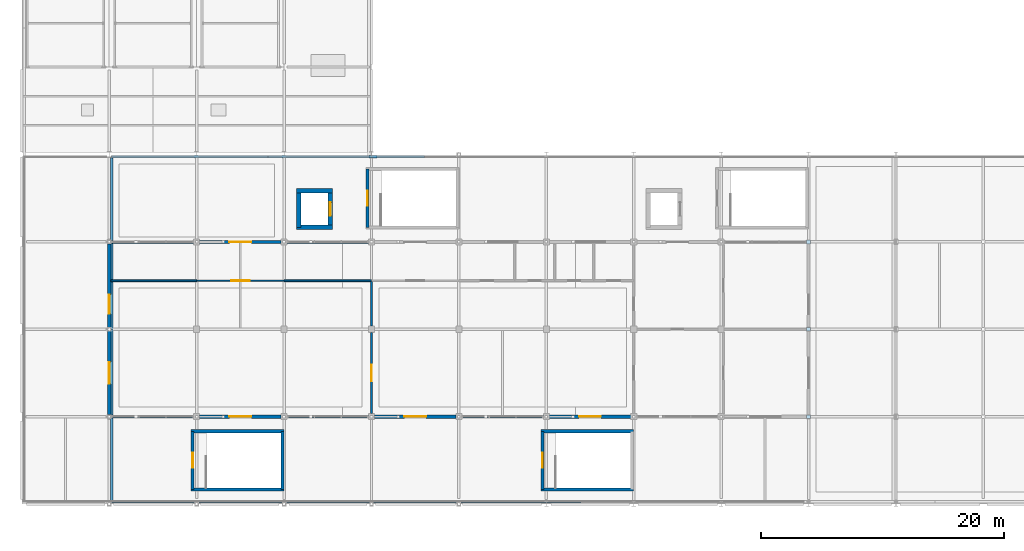
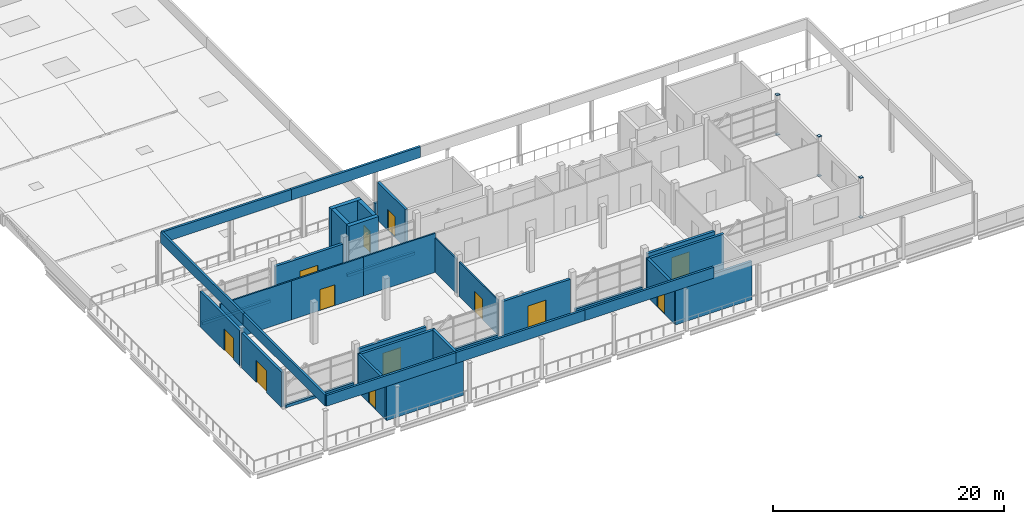
# One storey, part 23 of 32: 36 walls, 12 doors, 6 plates, 12 openings.
"""IFC4 building model written with IfcOpenShell, lengths in metres."""

from ifc_helpers import new_model, si_unit, direction, frame, frame_2d, origin, origin_2d, place, context, subcontext, project, spatial, rectangle, extrude, material, layer, layer_set, type_object, element, fill, save


model = new_model("IFC4")

# Units and contexts
model_context = context("Model", 3, precision=1e-05, world=origin(), true_north=direction((0.0, 1.0)))
body_context = subcontext(model_context, "Body", "Model", "MODEL_VIEW")
ifc_project = project(units=[si_unit("LENGTHUNIT", "METRE"), si_unit("AREAUNIT", "SQUARE_METRE"), si_unit("VOLUMEUNIT", "CUBIC_METRE"), si_unit("PLANEANGLEUNIT", "RADIAN"), si_unit("MASSUNIT", "GRAM", prefix="KILO")], contexts=[model_context])

# Site, building, storey
site_placement = place(None, origin())
site = spatial("IfcSite", under=ifc_project, at=site_placement, CompositionType="ELEMENT")
building_placement = place(site_placement, origin())
building = spatial("IfcBuilding", under=site, at=building_placement, Name="Sardonyx Promenade Sports Hall", CompositionType="ELEMENT")
storey_placement = place(building_placement, frame((0.0, 0.0, 20.39990234375)))
storey = spatial("IfcBuildingStorey", under=building, at=storey_placement, Name="L04", CompositionType="ELEMENT", Elevation=20.39990234375)

# Plates
ifc_material_1 = material(Name="Steel S355JR", Category="steel")
ifc_layer_1 = layer(ifc_material_1, 0.01611328125)
ifc_layer_set_1 = layer_set([ifc_layer_1], Name="Plt_EndCap_EC2")
plate_type = type_object("IfcPlateType", Name="Plt_EndCap_EC2", PredefinedType="USERDEFINED", material=ifc_layer_set_1)
for number, where, z_axis, x_axis, name in (
    (1, (64.800048828125, 7.199951171875, -0.015869140625), (0.0, 0.0, 1.0), (1.0, 0.0, 0.0), "Column end-cap plate EC2 L04 #21"),
    (2, (64.800048828125, 7.199951171875, 4.169921875), (0.0, 0.0, 1.0), (1.0, 0.0, 0.0), "Column end-cap plate EC2 L04 #22"),
    (3, (64.800048828125, 14.39990234375, -0.015869140625), (0.0, 0.0, 1.0), (1.0, 0.0, 0.0), "Column end-cap plate EC2 L04 #25"),
    (4, (64.800048828125, 14.39990234375, 4.169921875), (0.0, 0.0, 1.0), (1.0, 0.0, 0.0), "Column end-cap plate EC2 L04 #26"),
    (5, (64.800048828125, 21.60009765625, -0.015869140625), (0.0, 0.0, 1.0), (1.0, 0.0, 0.0), "Column end-cap plate EC2 L04 #29"),
    (6, (64.800048828125, 21.60009765625, 4.169921875), (0.0, 0.0, 1.0), (1.0, 0.0, 0.0), "Column end-cap plate EC2 L04 #30"),
):
    element("IfcPlate", number, at=place(storey_placement, frame(where, z_axis=z_axis, x_axis=x_axis)), inside=storey, type_object=plate_type, Name=name, ObjectType="END CAP PLATE", PredefinedType="USERDEFINED", context=body_context, shape_type="SweptSolid", body=[
        extrude(rectangle(XDim=0.320068359375, YDim=0.320068359375, at=origin_2d()), origin(), (0.0, 0.0, 1.0), 0.01611328125),
    ])

# Wall, opening, door
ifc_material_2 = material(Name="Concrete C40/50", Category="concrete")
ifc_layer_2 = layer(ifc_material_2, 0.3798828125)
ifc_layer_set_2 = layer_set([ifc_layer_2], Name="Wall_Core_Shear_380")
wall_type_1 = type_object("IfcWallType", Name="Wall_Core_Shear_380", PredefinedType="SHEAR", material=ifc_layer_set_2)
wall_1_placement = place(storey_placement, frame((25.39990234375, 22.800048828125, 0.0), z_axis=(0.0, 0.0, 1.0), x_axis=(0.0, 1.0, 0.0)))
wall_1 = element("IfcWall", 7, at=wall_1_placement, inside=storey, type_object=wall_type_1, Name="Lift shaft wall LF1 L04 E", PredefinedType="SHEAR", context=body_context, shape_type="SweptSolid", body=[
    extrude(rectangle(XDim=3.0, YDim=0.3798828125, at=frame_2d((1.5, 0.0))), origin(), (0.0, 0.0, 1.0), 4.400146484375),
])
opening_1_placement = place(wall_1_placement, frame((0.949951171875, 0.0, 0.0)))
opening_1 = element("IfcOpeningElement", 8, at=opening_1_placement, cuts=wall_1, Name="Opening LD01", PredefinedType="OPENING", context=body_context, shape_type="SweptSolid", body=[
    extrude(rectangle(XDim=1.10009765625, YDim=2.199951171875, at=frame_2d((0.550048828125, 1.10009765625))), frame((0.0, 0.2, 0.0), z_axis=(0.0, -1.0, 0.0), x_axis=(1.0, 0.0, 0.0)), (0.0, 0.0, 1.0), 0.4),
])
ifc_material_3 = material(Name="Fire-rated stainless steel sliding lift door", Category="steel")
door_type_1 = type_object("IfcDoorType", Name="Door_Lift_Pass_110x220", OperationType="NOTDEFINED", PredefinedType="DOOR", material=ifc_material_3)
door_1_placement = place(opening_1_placement, origin())
door_1 = element("IfcDoor", 9, at=door_1_placement, inside=storey, type_object=door_type_1, Name="Lift landing sliding door LD-LF1-L04", OperationType="SLIDING_TO_LEFT", OverallHeight=2.199951171875, OverallWidth=1.10009765625, PredefinedType="DOOR", context=body_context, shape_type="SweptSolid", body=[
    extrude(rectangle(XDim=1.10009765625, YDim=2.199951171875, at=frame_2d((0.550048828125, 1.10009765625))), frame((0.0, 0.02490234375, 0.0), z_axis=(0.0, -1.0, 0.0), x_axis=(1.0, 0.0, 0.0)), (0.0, 0.0, 1.0), 0.050048828125),
])
fill(opening_1, door_1)

# Walls
wall_2_placement = place(storey_placement, frame((22.610107421875, 25.800048828125, 0.0), z_axis=(0.0, 0.0, 1.0), x_axis=(1.0, 0.0, 0.0)))
element("IfcWall", 10, at=wall_2_placement, inside=storey, type_object=wall_type_1, Name="Lift shaft wall LF1 L04 N", PredefinedType="SHEAR", context=body_context, shape_type="SweptSolid", body=[
    extrude(rectangle(XDim=2.97998046875, YDim=0.3798828125, at=frame_2d((1.489990234375, 0.0))), origin(), (0.0, 0.0, 1.0), 4.400146484375),
])
wall_3_placement = place(storey_placement, frame((22.800048828125, 25.800048828125, 0.0), z_axis=(0.0, 0.0, 1.0), x_axis=(0.0, -1.0, 0.0)))
element("IfcWall", 11, at=wall_3_placement, inside=storey, type_object=wall_type_1, Name="Lift shaft wall LF1 L04 W", PredefinedType="SHEAR", context=body_context, shape_type="SweptSolid", body=[
    extrude(rectangle(XDim=3.0, YDim=0.3798828125, at=frame_2d((1.5, 0.0))), origin(), (0.0, 0.0, 1.0), 4.400146484375),
])
wall_4_placement = place(storey_placement, frame((25.590087890625, 22.800048828125, 0.0), z_axis=(0.0, 0.0, 1.0), x_axis=(-1.0, 0.0, 0.0)))
element("IfcWall", 12, at=wall_4_placement, inside=storey, type_object=wall_type_1, Name="Lift shaft wall LF1 L04 S", PredefinedType="SHEAR", context=body_context, shape_type="SweptSolid", body=[
    extrude(rectangle(XDim=2.97998046875, YDim=0.3798828125, at=frame_2d((1.489990234375, 0.0))), origin(), (0.0, 0.0, 1.0), 4.400146484375),
])

# Wall, opening, door
ifc_material_4 = material(Name="Masonry CMU 15 MPa", Category="masonry")
ifc_layer_3 = layer(ifc_material_4, 0.260009765625)
ifc_layer_set_3 = layer_set([ifc_layer_3], Name="Wall_Ext_Pavilion_260")
wall_type_2 = type_object("IfcWallType", Name="Wall_Ext_Pavilion_260", PredefinedType="SOLIDWALL", material=ifc_layer_set_3)
wall_5_placement = place(storey_placement, frame((14.635009765625, 21.60009765625, 0.0), z_axis=(0.0, 0.0, 1.0), x_axis=(1.0, 0.0, 0.0)))
wall_5 = element("IfcWall", 13, at=wall_5_placement, inside=storey, type_object=wall_type_2, Name="Exterior wall EW03 L04 #266", PredefinedType="SOLIDWALL", context=body_context, shape_type="SweptSolid", body=[
    extrude(rectangle(XDim=6.72998046875, YDim=0.260009765625, at=frame_2d((3.364990234375, 0.0))), origin(), (0.0, 0.0, 1.0), 3.655029296875),
])
opening_2_placement = place(wall_5_placement, frame((2.465087890625, 0.0, 0.0)))
opening_2 = element("IfcOpeningElement", 14, at=opening_2_placement, cuts=wall_5, Name="Opening ED01", PredefinedType="OPENING", context=body_context, shape_type="SweptSolid", body=[
    extrude(rectangle(XDim=1.800048828125, YDim=2.300048828125, at=frame_2d((0.89990234375, 1.14990234375))), frame((0.0, 0.14, 0.0), z_axis=(0.0, -1.0, 0.0), x_axis=(1.0, 0.0, 0.0)), (0.0, 0.0, 1.0), 0.28),
])
ifc_material_5 = material(Name="Thermally broken anodised aluminium glazed door", Category="aluminium")
door_type_2 = type_object("IfcDoorType", Name="Door_Ext_Track_180x230", OperationType="NOTDEFINED", PredefinedType="DOOR", material=ifc_material_5)
door_2_placement = place(opening_2_placement, origin())
door_2 = element("IfcDoor", 15, at=door_2_placement, inside=storey, type_object=door_type_2, Name="Exterior exit door TD09", OperationType="DOUBLE_DOOR_SINGLE_SWING", OverallHeight=2.300048828125, OverallWidth=1.800048828125, PredefinedType="DOOR", context=body_context, shape_type="SweptSolid", body=[
    extrude(rectangle(XDim=1.800048828125, YDim=2.300048828125, at=frame_2d((0.89990234375, 1.14990234375))), frame((0.0, 0.02490234375, 0.0), z_axis=(0.0, -1.0, 0.0), x_axis=(1.0, 0.0, 0.0)), (0.0, 0.0, 1.0), 0.050048828125),
])
fill(opening_2, door_2)

wall_6_placement = place(storey_placement, frame((50.1650390625, 7.199951171875, 0.0), z_axis=(0.0, 0.0, 1.0), x_axis=(-1.0, 0.0, 0.0)))
wall_6 = element("IfcWall", 16, at=wall_6_placement, inside=storey, type_object=wall_type_2, Name="Exterior wall EW03 L04 #275", PredefinedType="SOLIDWALL", context=body_context, shape_type="SweptSolid", body=[
    extrude(rectangle(XDim=6.72998046875, YDim=0.260009765625, at=frame_2d((3.364990234375, 0.0))), origin(), (0.0, 0.0, 1.0), 3.655029296875),
])
opening_3_placement = place(wall_6_placement, frame((2.465087890625, 0.0, 0.0)))
opening_3 = element("IfcOpeningElement", 17, at=opening_3_placement, cuts=wall_6, Name="Opening ED01", PredefinedType="OPENING", context=body_context, shape_type="SweptSolid", body=[
    extrude(rectangle(XDim=1.800048828125, YDim=2.300048828125, at=frame_2d((0.89990234375, 1.14990234375))), frame((0.0, 0.14, 0.0), z_axis=(0.0, -1.0, 0.0), x_axis=(1.0, 0.0, 0.0)), (0.0, 0.0, 1.0), 0.28),
])
door_3_placement = place(opening_3_placement, origin())
door_3 = element("IfcDoor", 18, at=door_3_placement, inside=storey, type_object=door_type_2, Name="Exterior exit door TD08", OperationType="DOUBLE_DOOR_SINGLE_SWING", OverallHeight=2.300048828125, OverallWidth=1.800048828125, PredefinedType="DOOR", context=body_context, shape_type="SweptSolid", body=[
    extrude(rectangle(XDim=1.800048828125, YDim=2.300048828125, at=frame_2d((0.89990234375, 1.14990234375))), frame((0.0, 0.02490234375, 0.0), z_axis=(0.0, -1.0, 0.0), x_axis=(1.0, 0.0, 0.0)), (0.0, 0.0, 1.0), 0.050048828125),
])
fill(opening_3, door_3)

wall_7_placement = place(storey_placement, frame((35.764892578125, 7.199951171875, 0.0), z_axis=(0.0, 0.0, 1.0), x_axis=(-1.0, 0.0, 0.0)))
wall_7 = element("IfcWall", 19, at=wall_7_placement, inside=storey, type_object=wall_type_2, Name="Exterior wall EW03 L04 #277", PredefinedType="SOLIDWALL", context=body_context, shape_type="SweptSolid", body=[
    extrude(rectangle(XDim=6.72998046875, YDim=0.260009765625, at=frame_2d((3.364990234375, 0.0))), origin(), (0.0, 0.0, 1.0), 3.655029296875),
])
opening_4_placement = place(wall_7_placement, frame((2.465087890625, 0.0, 0.0)))
opening_4 = element("IfcOpeningElement", 20, at=opening_4_placement, cuts=wall_7, Name="Opening ED01", PredefinedType="OPENING", context=body_context, shape_type="SweptSolid", body=[
    extrude(rectangle(XDim=1.800048828125, YDim=2.300048828125, at=frame_2d((0.89990234375, 1.14990234375))), frame((0.0, 0.14, 0.0), z_axis=(0.0, -1.0, 0.0), x_axis=(1.0, 0.0, 0.0)), (0.0, 0.0, 1.0), 0.28),
])
door_4_placement = place(opening_4_placement, origin())
door_4 = element("IfcDoor", 21, at=door_4_placement, inside=storey, type_object=door_type_2, Name="Exterior exit door TD02", OperationType="DOUBLE_DOOR_SINGLE_SWING", OverallHeight=2.300048828125, OverallWidth=1.800048828125, PredefinedType="DOOR", context=body_context, shape_type="SweptSolid", body=[
    extrude(rectangle(XDim=1.800048828125, YDim=2.300048828125, at=frame_2d((0.89990234375, 1.14990234375))), frame((0.0, 0.02490234375, 0.0), z_axis=(0.0, -1.0, 0.0), x_axis=(1.0, 0.0, 0.0)), (0.0, 0.0, 1.0), 0.050048828125),
])
fill(opening_4, door_4)

wall_8_placement = place(storey_placement, frame((21.364990234375, 7.199951171875, 0.0), z_axis=(0.0, 0.0, 1.0), x_axis=(-1.0, 0.0, 0.0)))
wall_8 = element("IfcWall", 22, at=wall_8_placement, inside=storey, type_object=wall_type_2, Name="Exterior wall EW03 L04 #279", PredefinedType="SOLIDWALL", context=body_context, shape_type="SweptSolid", body=[
    extrude(rectangle(XDim=6.72998046875, YDim=0.260009765625, at=frame_2d((3.364990234375, 0.0))), origin(), (0.0, 0.0, 1.0), 3.655029296875),
])
opening_5_placement = place(wall_8_placement, frame((2.465087890625, 0.0, 0.0)))
opening_5 = element("IfcOpeningElement", 23, at=opening_5_placement, cuts=wall_8, Name="Opening ED01", PredefinedType="OPENING", context=body_context, shape_type="SweptSolid", body=[
    extrude(rectangle(XDim=1.800048828125, YDim=2.300048828125, at=frame_2d((0.89990234375, 1.14990234375))), frame((0.0, 0.14, 0.0), z_axis=(0.0, -1.0, 0.0), x_axis=(1.0, 0.0, 0.0)), (0.0, 0.0, 1.0), 0.28),
])
door_5_placement = place(opening_5_placement, origin())
door_5 = element("IfcDoor", 24, at=door_5_placement, inside=storey, type_object=door_type_2, Name="Exterior exit door TD07", OperationType="DOUBLE_DOOR_SINGLE_SWING", OverallHeight=2.300048828125, OverallWidth=1.800048828125, PredefinedType="DOOR", context=body_context, shape_type="SweptSolid", body=[
    extrude(rectangle(XDim=1.800048828125, YDim=2.300048828125, at=frame_2d((0.89990234375, 1.14990234375))), frame((0.0, 0.02490234375, 0.0), z_axis=(0.0, -1.0, 0.0), x_axis=(1.0, 0.0, 0.0)), (0.0, 0.0, 1.0), 0.050048828125),
])
fill(opening_5, door_5)

wall_9_placement = place(storey_placement, frame((7.199951171875, 7.3603515625, 0.0), z_axis=(0.0, 0.0, 1.0), x_axis=(0.0, 1.0, 0.0)))
wall_9 = element("IfcWall", 25, at=wall_9_placement, inside=storey, type_object=wall_type_2, Name="Exterior wall EW03 L04 #283", PredefinedType="SOLIDWALL", context=body_context, shape_type="SweptSolid", body=[
    extrude(rectangle(XDim=6.879150390625, YDim=0.260009765625, at=frame_2d((3.439453125, 0.0))), origin(), (0.0, 0.0, 1.0), 3.705078125),
])
opening_6_placement = place(wall_9_placement, frame((2.53955078125, 0.0, 0.0)))
opening_6 = element("IfcOpeningElement", 26, at=opening_6_placement, cuts=wall_9, Name="Opening ED01", PredefinedType="OPENING", context=body_context, shape_type="SweptSolid", body=[
    extrude(rectangle(XDim=1.800048828125, YDim=2.300048828125, at=frame_2d((0.89990234375, 1.14990234375))), frame((0.0, 0.14, 0.0), z_axis=(0.0, -1.0, 0.0), x_axis=(1.0, 0.0, 0.0)), (0.0, 0.0, 1.0), 0.28),
])
door_6_placement = place(opening_6_placement, origin())
door_6 = element("IfcDoor", 27, at=door_6_placement, inside=storey, type_object=door_type_2, Name="Exterior exit door TD04", OperationType="DOUBLE_DOOR_SINGLE_SWING", OverallHeight=2.300048828125, OverallWidth=1.800048828125, PredefinedType="DOOR", context=body_context, shape_type="SweptSolid", body=[
    extrude(rectangle(XDim=1.800048828125, YDim=2.300048828125, at=frame_2d((0.89990234375, 1.14990234375))), frame((0.0, 0.02490234375, 0.0), z_axis=(0.0, -1.0, 0.0), x_axis=(1.0, 0.0, 0.0)), (0.0, 0.0, 1.0), 0.050048828125),
])
fill(opening_6, door_6)

wall_10_placement = place(storey_placement, frame((7.199951171875, 14.560546875, 0.0), z_axis=(0.0, 0.0, 1.0), x_axis=(0.0, 1.0, 0.0)))
wall_10 = element("IfcWall", 28, at=wall_10_placement, inside=storey, type_object=wall_type_2, Name="Exterior wall EW03 L04 #284", PredefinedType="SOLIDWALL", context=body_context, shape_type="SweptSolid", body=[
    extrude(rectangle(XDim=6.87890625, YDim=0.260009765625, at=frame_2d((3.439453125, 0.0))), origin(), (0.0, 0.0, 1.0), 3.705078125),
])
opening_7_placement = place(wall_10_placement, frame((1.10009765625, 0.0, 0.0)))
opening_7 = element("IfcOpeningElement", 29, at=opening_7_placement, cuts=wall_10, Name="Opening ED08", PredefinedType="OPENING", context=body_context, shape_type="SweptSolid", body=[
    extrude(rectangle(XDim=1.60009765625, YDim=2.300048828125, at=frame_2d((0.800048828125, 1.14990234375))), frame((0.0, 0.14, 0.0), z_axis=(0.0, -1.0, 0.0), x_axis=(1.0, 0.0, 0.0)), (0.0, 0.0, 1.0), 0.28),
])
ifc_material_6 = material(Name="Thermally broken anodised aluminium glazed door", Category="aluminium")
door_type_3 = type_object("IfcDoorType", Name="Door_Ext_Terrace_160x230", OperationType="NOTDEFINED", PredefinedType="DOOR", material=ifc_material_6)
door_7_placement = place(opening_7_placement, origin())
door_7 = element("IfcDoor", 30, at=door_7_placement, inside=storey, type_object=door_type_3, Name="Exterior exit door TD05", OperationType="DOUBLE_DOOR_SINGLE_SWING", OverallHeight=2.300048828125, OverallWidth=1.60009765625, PredefinedType="DOOR", context=body_context, shape_type="SweptSolid", body=[
    extrude(rectangle(XDim=1.60009765625, YDim=2.300048828125, at=frame_2d((0.800048828125, 1.14990234375))), frame((0.0, 0.02490234375, 0.0), z_axis=(0.0, -1.0, 0.0), x_axis=(1.0, 0.0, 0.0)), (0.0, 0.0, 1.0), 0.050048828125),
])
fill(opening_7, door_7)

# Walls
ifc_material_7 = material(Name="Masonry CMU 15 MPa", Category="masonry")
ifc_layer_4 = layer(ifc_material_7, 0.239990234375)
ifc_layer_set_4 = layer_set([ifc_layer_4], Name="Wall_Ext_Spandrel_240")
wall_type_3 = type_object("IfcWallType", Name="Wall_Ext_Spandrel_240", PredefinedType="SOLIDWALL", material=ifc_layer_set_4)
wall_11_placement = place(storey_placement, frame((7.3603515625, 21.60009765625, 0.0), z_axis=(0.0, 0.0, 1.0), x_axis=(1.0, 0.0, 0.0)))
element("IfcWall", 31, at=wall_11_placement, inside=storey, type_object=wall_type_3, Name="Curtain-wall sill spandrel L04 #265", PredefinedType="SOLIDWALL", context=body_context, shape_type="SweptSolid", body=[
    extrude(rectangle(XDim=6.8046875, YDim=0.239990234375, at=frame_2d((3.40234375, 0.0))), origin(), (0.0, 0.0, 1.0), 0.300048828125),
])
for number, where, z_axis, x_axis, name in (
    (32, (21.8349609375, 21.60009765625, 0.0), (0.0, 0.0, 1.0), (1.0, 0.0, 0.0), "Curtain-wall sill spandrel L04 #267"),
    (33, (42.965087890625, 7.199951171875, 0.0), (0.0, 0.0, 1.0), (-1.0, 0.0, 0.0), "Curtain-wall sill spandrel L04 #276"),
    (34, (28.56494140625, 7.199951171875, 0.0), (0.0, 0.0, 1.0), (-1.0, 0.0, 0.0), "Curtain-wall sill spandrel L04 #278"),
):
    element("IfcWall", number, at=place(storey_placement, frame(where, z_axis=z_axis, x_axis=x_axis)), inside=storey, type_object=wall_type_3, Name=name, PredefinedType="SOLIDWALL", context=body_context, shape_type="SweptSolid", body=[
        extrude(rectangle(XDim=6.72998046875, YDim=0.239990234375, at=frame_2d((3.364990234375, 0.0))), origin(), (0.0, 0.0, 1.0), 0.300048828125),
    ])
wall_12_placement = place(storey_placement, frame((14.1650390625, 7.199951171875, 0.0), z_axis=(0.0, 0.0, 1.0), x_axis=(-1.0, 0.0, 0.0)))
element("IfcWall", 35, at=wall_12_placement, inside=storey, type_object=wall_type_3, Name="Curtain-wall sill spandrel L04 #280", PredefinedType="SOLIDWALL", context=body_context, shape_type="SweptSolid", body=[
    extrude(rectangle(XDim=6.8046875, YDim=0.239990234375, at=frame_2d((3.40234375, 0.0))), origin(), (0.0, 0.0, 1.0), 0.300048828125),
])
ifc_material_8 = material(Name="Concrete C40/50", Category="concrete")
ifc_layer_5 = layer(ifc_material_8, 0.219970703125)
ifc_layer_set_5 = layer_set([ifc_layer_5], Name="Wall_Parapet_Roof_220")
wall_type_4 = type_object("IfcWallType", Name="Wall_Parapet_Roof_220", PredefinedType="PARAPET", material=ifc_layer_set_5)
wall_13_placement = place(storey_placement, frame((28.60009765625, 28.60009765625, 0.0), z_axis=(0.0, 0.0, 1.0), x_axis=(1.0, 0.0, 0.0)))
element("IfcWall", 36, at=wall_13_placement, inside=storey, type_object=wall_type_4, Name="Roof parapet PP02 L04 #58", PredefinedType="PARAPET", context=body_context, shape_type="SweptSolid", body=[
    extrude(rectangle(XDim=0.64990234375, YDim=0.219970703125, at=frame_2d((0.324951171875, 0.0))), origin(), (0.0, 0.0, 1.0), 1.150146484375),
])
wall_14_placement = place(storey_placement, frame((7.39990234375, 0.199951171875, 4.400146484375), z_axis=(0.0, 0.0, 1.0), x_axis=(1.0, 0.0, 0.0)))
element("IfcWall", 37, at=wall_14_placement, inside=storey, type_object=wall_type_4, Name="Roof parapet PP02 L04 #59", PredefinedType="PARAPET", context=body_context, shape_type="SweptSolid", body=[
    extrude(rectangle(XDim=12.880126953125, YDim=0.219970703125, at=frame_2d((6.43994140625, 0.0))), origin(), (0.0, 0.0, 1.0), 1.14990234375),
])
wall_15_placement = place(storey_placement, frame((20.280029296875, 0.199951171875, 4.400146484375), z_axis=(0.0, 0.0, 1.0), x_axis=(1.0, 0.0, 0.0)))
element("IfcWall", 38, at=wall_15_placement, inside=storey, type_object=wall_type_4, Name="Roof parapet PP02 L04 #60", PredefinedType="PARAPET", context=body_context, shape_type="SweptSolid", body=[
    extrude(rectangle(XDim=12.8798828125, YDim=0.219970703125, at=frame_2d((6.43994140625, 0.0))), origin(), (0.0, 0.0, 1.0), 1.14990234375),
])
wall_16_placement = place(storey_placement, frame((33.159912109375, 0.199951171875, 4.400146484375), z_axis=(0.0, 0.0, 1.0), x_axis=(1.0, 0.0, 0.0)))
element("IfcWall", 39, at=wall_16_placement, inside=storey, type_object=wall_type_4, Name="Roof parapet PP02 L04 #61", PredefinedType="PARAPET", context=body_context, shape_type="SweptSolid", body=[
    extrude(rectangle(XDim=12.880126953125, YDim=0.219970703125, at=frame_2d((6.43994140625, 0.0))), origin(), (0.0, 0.0, 1.0), 1.14990234375),
])
wall_17_placement = place(storey_placement, frame((33.159912109375, 28.60009765625, 4.400146484375), z_axis=(0.0, 0.0, 1.0), x_axis=(-1.0, 0.0, 0.0)))
element("IfcWall", 40, at=wall_17_placement, inside=storey, type_object=wall_type_4, Name="Roof parapet PP02 L04 #69", PredefinedType="PARAPET", context=body_context, shape_type="SweptSolid", body=[
    extrude(rectangle(XDim=12.8798828125, YDim=0.219970703125, at=frame_2d((6.43994140625, 0.0))), origin(), (0.0, 0.0, 1.0), 1.14990234375),
])
wall_18_placement = place(storey_placement, frame((20.280029296875, 28.60009765625, 4.400146484375), z_axis=(0.0, 0.0, 1.0), x_axis=(-1.0, 0.0, 0.0)))
element("IfcWall", 41, at=wall_18_placement, inside=storey, type_object=wall_type_4, Name="Roof parapet PP02 L04 #70", PredefinedType="PARAPET", context=body_context, shape_type="SweptSolid", body=[
    extrude(rectangle(XDim=12.880126953125, YDim=0.219970703125, at=frame_2d((6.43994140625, 0.0))), origin(), (0.0, 0.0, 1.0), 1.14990234375),
])
wall_19_placement = place(storey_placement, frame((7.39990234375, 28.60009765625, 4.400146484375), z_axis=(0.0, 0.0, 1.0), x_axis=(0.0, -1.0, 0.0)))
element("IfcWall", 42, at=wall_19_placement, inside=storey, type_object=wall_type_4, Name="Roof parapet PP02 L04 #71", PredefinedType="PARAPET", context=body_context, shape_type="SweptSolid", body=[
    extrude(rectangle(XDim=14.2001953125, YDim=0.219970703125, at=frame_2d((7.10009765625, 0.0))), origin(), (0.0, 0.0, 1.0), 1.14990234375),
])
wall_20_placement = place(storey_placement, frame((7.39990234375, 14.39990234375, 4.400146484375), z_axis=(0.0, 0.0, 1.0), x_axis=(0.0, -1.0, 0.0)))
element("IfcWall", 43, at=wall_20_placement, inside=storey, type_object=wall_type_4, Name="Roof parapet PP02 L04 #72", PredefinedType="PARAPET", context=body_context, shape_type="SweptSolid", body=[
    extrude(rectangle(XDim=14.199951171875, YDim=0.219970703125, at=frame_2d((7.10009765625, 0.0))), origin(), (0.0, 0.0, 1.0), 1.14990234375),
])
ifc_material_9 = material(Name="Fire-rated stud gypsum partition", Category="gypsum")
ifc_layer_6 = layer(ifc_material_9, 0.14990234375)
ifc_layer_set_6 = layer_set([ifc_layer_6], Name="Wall_Part_Corridor_150")
wall_type_5 = type_object("IfcWallType", Name="Wall_Part_Corridor_150", PredefinedType="PARTITIONING", material=ifc_layer_set_6)
wall_21_placement = place(storey_placement, frame((7.340087890625, 18.39990234375, 0.0), z_axis=(0.0, 0.0, 1.0), x_axis=(1.0, 0.0, 0.0)))
element("IfcWall", 44, at=wall_21_placement, inside=storey, type_object=wall_type_5, Name="Interior partition PW04 L04 #506", PredefinedType="PARTITIONING", context=body_context, shape_type="SweptSolid", body=[
    extrude(rectangle(XDim=7.059814453125, YDim=0.14990234375, at=frame_2d((3.52978515625, 0.0))), origin(), (0.0, 0.0, 1.0), 4.1201171875),
])

# Wall, opening, door
wall_22_placement = place(storey_placement, frame((14.409912109375, 18.39990234375, 0.0), z_axis=(0.0, 0.0, 1.0), x_axis=(1.0, 0.0, 0.0)))
wall_22 = element("IfcWall", 45, at=wall_22_placement, inside=storey, type_object=wall_type_5, Name="Interior partition PW04 L04 #507", PredefinedType="PARTITIONING", context=body_context, shape_type="SweptSolid", body=[
    extrude(rectangle(XDim=7.190185546875, YDim=0.14990234375, at=frame_2d((3.59521484375, 0.0))), origin(), (0.0, 0.0, 1.0), 4.1201171875),
])
opening_8_placement = place(wall_22_placement, frame((2.844970703125, 0.0, 0.0)))
opening_8 = element("IfcOpeningElement", 46, at=opening_8_placement, cuts=wall_22, Name="Opening ID10", PredefinedType="OPENING", context=body_context, shape_type="SweptSolid", body=[
    extrude(rectangle(XDim=1.5, YDim=2.199951171875, at=frame_2d((0.75, 1.10009765625))), frame((0.0, 0.085, 0.0), z_axis=(0.0, -1.0, 0.0), x_axis=(1.0, 0.0, 0.0)), (0.0, 0.0, 1.0), 0.17),
])
ifc_material_10 = material(Name="Double studio entrance fire door FD30S", Category="wood")
door_type_4 = type_object("IfcDoorType", Name="Door_Corr_FD30_150x220", OperationType="NOTDEFINED", PredefinedType="DOOR", material=ifc_material_10)
door_8_placement = place(opening_8_placement, origin())
door_8 = element("IfcDoor", 47, at=door_8_placement, inside=storey, type_object=door_type_4, Name="Interior door D04-154", OperationType="DOUBLE_DOOR_SINGLE_SWING", OverallHeight=2.199951171875, OverallWidth=1.5, PredefinedType="DOOR", context=body_context, shape_type="SweptSolid", body=[
    extrude(rectangle(XDim=1.5, YDim=2.199951171875, at=frame_2d((0.75, 1.10009765625))), frame((0.0, 0.02490234375, 0.0), z_axis=(0.0, -1.0, 0.0), x_axis=(1.0, 0.0, 0.0)), (0.0, 0.0, 1.0), 0.050048828125),
])
fill(opening_8, door_8)

# Wall
wall_23_placement = place(storey_placement, frame((21.610107421875, 18.39990234375, 0.0), z_axis=(0.0, 0.0, 1.0), x_axis=(1.0, 0.0, 0.0)))
element("IfcWall", 48, at=wall_23_placement, inside=storey, type_object=wall_type_5, Name="Interior partition PW04 L04 #508", PredefinedType="PARTITIONING", context=body_context, shape_type="SweptSolid", body=[
    extrude(rectangle(XDim=7.18994140625, YDim=0.14990234375, at=frame_2d((3.594970703125, 0.0))), origin(), (0.0, 0.0, 1.0), 4.1201171875),
])

# Wall, opening, door
ifc_material_11 = material(Name="Acoustic sports stud partition", Category="gypsum")
ifc_layer_7 = layer(ifc_material_11, 0.1298828125)
ifc_layer_set_7 = layer_set([ifc_layer_7], Name="Wall_Part_Studio_130")
wall_type_6 = type_object("IfcWallType", Name="Wall_Part_Studio_130", PredefinedType="PARTITIONING", material=ifc_layer_set_7)
wall_24_placement = place(storey_placement, frame((28.800048828125, 7.449951171875, 0.0), z_axis=(0.0, 0.0, 1.0), x_axis=(0.0, 1.0, 0.0)))
wall_24 = element("IfcWall", 49, at=wall_24_placement, inside=storey, type_object=wall_type_6, Name="Interior partition PW05 L04 #518", PredefinedType="PARTITIONING", context=body_context, shape_type="SweptSolid", body=[
    extrude(rectangle(XDim=6.699951171875, YDim=0.1298828125, at=frame_2d((3.35009765625, 0.0))), origin(), (0.0, 0.0, 1.0), 3.650146484375),
])
opening_9_placement = place(wall_24_placement, frame((2.675048828125, 0.0, 0.0)))
opening_9 = element("IfcOpeningElement", 50, at=opening_9_placement, cuts=wall_24, Name="Opening ID12", PredefinedType="OPENING", context=body_context, shape_type="SweptSolid", body=[
    extrude(rectangle(XDim=1.35009765625, YDim=2.14990234375, at=frame_2d((0.675048828125, 1.074951171875))), frame((0.0, 0.075, 0.0), z_axis=(0.0, -1.0, 0.0), x_axis=(1.0, 0.0, 0.0)), (0.0, 0.0, 1.0), 0.15),
])
ifc_material_12 = material(Name="Leaf-and-a-half equipment door", Category="wood")
door_type_5 = type_object("IfcDoorType", Name="Door_Suite_135x215", OperationType="NOTDEFINED", PredefinedType="DOOR", material=ifc_material_12)
door_9_placement = place(opening_9_placement, origin())
door_9 = element("IfcDoor", 51, at=door_9_placement, inside=storey, type_object=door_type_5, Name="Interior door D04-160", OperationType="SINGLE_SWING_RIGHT", OverallHeight=2.14990234375, OverallWidth=1.35009765625, PredefinedType="DOOR", context=body_context, shape_type="SweptSolid", body=[
    extrude(rectangle(XDim=1.35009765625, YDim=2.14990234375, at=frame_2d((0.675048828125, 1.074951171875))), frame((0.0, 0.02490234375, 0.0), z_axis=(0.0, -1.0, 0.0), x_axis=(1.0, 0.0, 0.0)), (0.0, 0.0, 1.0), 0.050048828125),
])
fill(opening_9, door_9)

# Wall
wall_25_placement = place(storey_placement, frame((28.800048828125, 14.64990234375, 0.0), z_axis=(0.0, 0.0, 1.0), x_axis=(0.0, 1.0, 0.0)))
element("IfcWall", 52, at=wall_25_placement, inside=storey, type_object=wall_type_6, Name="Interior partition PW05 L04 #519", PredefinedType="PARTITIONING", context=body_context, shape_type="SweptSolid", body=[
    extrude(rectangle(XDim=3.6650390625, YDim=0.1298828125, at=frame_2d((1.83251953125, 0.0))), origin(), (0.0, 0.0, 1.0), 3.650146484375),
])

# Wall, opening, door
ifc_material_13 = material(Name="Concrete C40/50", Category="concrete")
ifc_layer_8 = layer(ifc_material_13, 0.25)
ifc_layer_set_8 = layer_set([ifc_layer_8], Name="Wall_Stair_Shear_250")
wall_type_7 = type_object("IfcWallType", Name="Wall_Stair_Shear_250", PredefinedType="SHEAR", material=ifc_layer_set_8)
wall_26_placement = place(storey_placement, frame((28.47509765625, 22.800048828125, 0.0), z_axis=(0.0, 0.0, 1.0), x_axis=(0.0, 1.0, 0.0)))
wall_26 = element("IfcWall", 53, at=wall_26_placement, inside=storey, type_object=wall_type_7, Name="Stair shaft wall ST1 L04 entry", PredefinedType="SHEAR", context=body_context, shape_type="SweptSolid", body=[
    extrude(rectangle(XDim=4.800048828125, YDim=0.25, at=frame_2d((2.39990234375, 0.0))), origin(), (0.0, 0.0, 1.0), 4.0400390625),
])
opening_10_placement = place(wall_26_placement, frame((1.77490234375, 0.0, 0.0)))
opening_10 = element("IfcOpeningElement", 54, at=opening_10_placement, cuts=wall_26, Name="Opening ID13", PredefinedType="OPENING", context=body_context, shape_type="SweptSolid", body=[
    extrude(rectangle(XDim=1.25, YDim=2.199951171875, at=frame_2d((0.625, 1.10009765625))), frame((0.0, 0.135, 0.0), z_axis=(0.0, -1.0, 0.0), x_axis=(1.0, 0.0, 0.0)), (0.0, 0.0, 1.0), 0.27),
])
ifc_material_14 = material(Name="Solid-core hardwood fire door FD60S", Category="wood")
door_type_6 = type_object("IfcDoorType", Name="Door_Stair_FD60_125x220", OperationType="NOTDEFINED", PredefinedType="DOOR", material=ifc_material_14)
door_10_placement = place(opening_10_placement, origin())
door_10 = element("IfcDoor", 55, at=door_10_placement, inside=storey, type_object=door_type_6, Name="Protected stair door SD06 (ST1 L04)", OperationType="SINGLE_SWING_RIGHT", OverallHeight=2.199951171875, OverallWidth=1.25, PredefinedType="DOOR", context=body_context, shape_type="SweptSolid", body=[
    extrude(rectangle(XDim=1.25, YDim=2.199951171875, at=frame_2d((0.625, 1.10009765625))), frame((0.0, 0.02490234375, 0.0), z_axis=(0.0, -1.0, 0.0), x_axis=(1.0, 0.0, 0.0)), (0.0, 0.0, 1.0), 0.050048828125),
])
fill(opening_10, door_10)

wall_27_placement = place(storey_placement, frame((14.074951171875, 1.199951171875, 0.0), z_axis=(0.0, 0.0, 1.0), x_axis=(0.0, 1.0, 0.0)))
wall_27 = element("IfcWall", 56, at=wall_27_placement, inside=storey, type_object=wall_type_7, Name="Stair shaft wall ST5 L04 entry", PredefinedType="SHEAR", context=body_context, shape_type="SweptSolid", body=[
    extrude(rectangle(XDim=4.800048828125, YDim=0.25, at=frame_2d((2.39990234375, 0.0))), origin(), (0.0, 0.0, 1.0), 4.0400390625),
])
opening_11_placement = place(wall_27_placement, frame((1.77490234375, 0.0, 0.0)))
opening_11 = element("IfcOpeningElement", 57, at=opening_11_placement, cuts=wall_27, Name="Opening ID13", PredefinedType="OPENING", context=body_context, shape_type="SweptSolid", body=[
    extrude(rectangle(XDim=1.25, YDim=2.199951171875, at=frame_2d((0.625, 1.10009765625))), frame((0.0, 0.135, 0.0), z_axis=(0.0, -1.0, 0.0), x_axis=(1.0, 0.0, 0.0)), (0.0, 0.0, 1.0), 0.27),
])
door_11_placement = place(opening_11_placement, origin())
door_11 = element("IfcDoor", 58, at=door_11_placement, inside=storey, type_object=door_type_6, Name="Protected stair door SD26 (ST5 L04)", OperationType="SINGLE_SWING_RIGHT", OverallHeight=2.199951171875, OverallWidth=1.25, PredefinedType="DOOR", context=body_context, shape_type="SweptSolid", body=[
    extrude(rectangle(XDim=1.25, YDim=2.199951171875, at=frame_2d((0.625, 1.10009765625))), frame((0.0, 0.02490234375, 0.0), z_axis=(0.0, -1.0, 0.0), x_axis=(1.0, 0.0, 0.0)), (0.0, 0.0, 1.0), 0.050048828125),
])
fill(opening_11, door_11)

# Walls
wall_28_placement = place(storey_placement, frame((13.949951171875, 6.0, 0.0), z_axis=(0.0, 0.0, 1.0), x_axis=(1.0, 0.0, 0.0)))
element("IfcWall", 59, at=wall_28_placement, inside=storey, type_object=wall_type_7, Name="Stair shaft wall ST5 L04 N", PredefinedType="SHEAR", context=body_context, shape_type="SweptSolid", body=[
    extrude(rectangle(XDim=7.650146484375, YDim=0.25, at=frame_2d((3.8251953125, 0.0))), origin(), (0.0, 0.0, 1.0), 4.0400390625),
])
wall_29_placement = place(storey_placement, frame((21.47509765625, 6.0, 0.0), z_axis=(0.0, 0.0, 1.0), x_axis=(0.0, -1.0, 0.0)))
element("IfcWall", 60, at=wall_29_placement, inside=storey, type_object=wall_type_7, Name="Stair shaft wall ST5 L04 E", PredefinedType="SHEAR", context=body_context, shape_type="SweptSolid", body=[
    extrude(rectangle(XDim=4.800048828125, YDim=0.25, at=frame_2d((2.39990234375, 0.0))), origin(), (0.0, 0.0, 1.0), 4.0400390625),
])
wall_30_placement = place(storey_placement, frame((21.60009765625, 1.199951171875, 0.0), z_axis=(0.0, 0.0, 1.0), x_axis=(-1.0, 0.0, 0.0)))
element("IfcWall", 61, at=wall_30_placement, inside=storey, type_object=wall_type_7, Name="Stair shaft wall ST5 L04 S", PredefinedType="SHEAR", context=body_context, shape_type="SweptSolid", body=[
    extrude(rectangle(XDim=7.650146484375, YDim=0.25, at=frame_2d((3.8251953125, 0.0))), origin(), (0.0, 0.0, 1.0), 4.0400390625),
])

# Wall, opening, door
wall_31_placement = place(storey_placement, frame((42.875, 1.199951171875, 0.0), z_axis=(0.0, 0.0, 1.0), x_axis=(0.0, 1.0, 0.0)))
wall_31 = element("IfcWall", 62, at=wall_31_placement, inside=storey, type_object=wall_type_7, Name="Stair shaft wall ST6 L04 entry", PredefinedType="SHEAR", context=body_context, shape_type="SweptSolid", body=[
    extrude(rectangle(XDim=4.800048828125, YDim=0.25, at=frame_2d((2.39990234375, 0.0))), origin(), (0.0, 0.0, 1.0), 4.0400390625),
])
opening_12_placement = place(wall_31_placement, frame((1.77490234375, 0.0, 0.0)))
opening_12 = element("IfcOpeningElement", 63, at=opening_12_placement, cuts=wall_31, Name="Opening ID13", PredefinedType="OPENING", context=body_context, shape_type="SweptSolid", body=[
    extrude(rectangle(XDim=1.25, YDim=2.199951171875, at=frame_2d((0.625, 1.10009765625))), frame((0.0, 0.135, 0.0), z_axis=(0.0, -1.0, 0.0), x_axis=(1.0, 0.0, 0.0)), (0.0, 0.0, 1.0), 0.27),
])
door_12_placement = place(opening_12_placement, origin())
door_12 = element("IfcDoor", 64, at=door_12_placement, inside=storey, type_object=door_type_6, Name="Protected stair door SD31 (ST6 L04)", OperationType="SINGLE_SWING_LEFT", OverallHeight=2.199951171875, OverallWidth=1.25, PredefinedType="DOOR", context=body_context, shape_type="SweptSolid", body=[
    extrude(rectangle(XDim=1.25, YDim=2.199951171875, at=frame_2d((0.625, 1.10009765625))), frame((0.0, 0.02490234375, 0.0), z_axis=(0.0, -1.0, 0.0), x_axis=(1.0, 0.0, 0.0)), (0.0, 0.0, 1.0), 0.050048828125),
])
fill(opening_12, door_12)

# Walls
for number, where, z_axis, x_axis, name in (
    (65, (42.75, 6.0, 0.0), (0.0, 0.0, 1.0), (1.0, 0.0, 0.0), "Stair shaft wall ST6 L04 N"),
    (66, (50.39990234375, 1.199951171875, 0.0), (0.0, 0.0, 1.0), (-1.0, 0.0, 0.0), "Stair shaft wall ST6 L04 S"),
):
    element("IfcWall", number, at=place(storey_placement, frame(where, z_axis=z_axis, x_axis=x_axis)), inside=storey, type_object=wall_type_7, Name=name, PredefinedType="SHEAR", context=body_context, shape_type="SweptSolid", body=[
        extrude(rectangle(XDim=7.64990234375, YDim=0.25, at=frame_2d((3.824951171875, 0.0))), origin(), (0.0, 0.0, 1.0), 4.0400390625),
    ])

save(model, "model.ifc")
